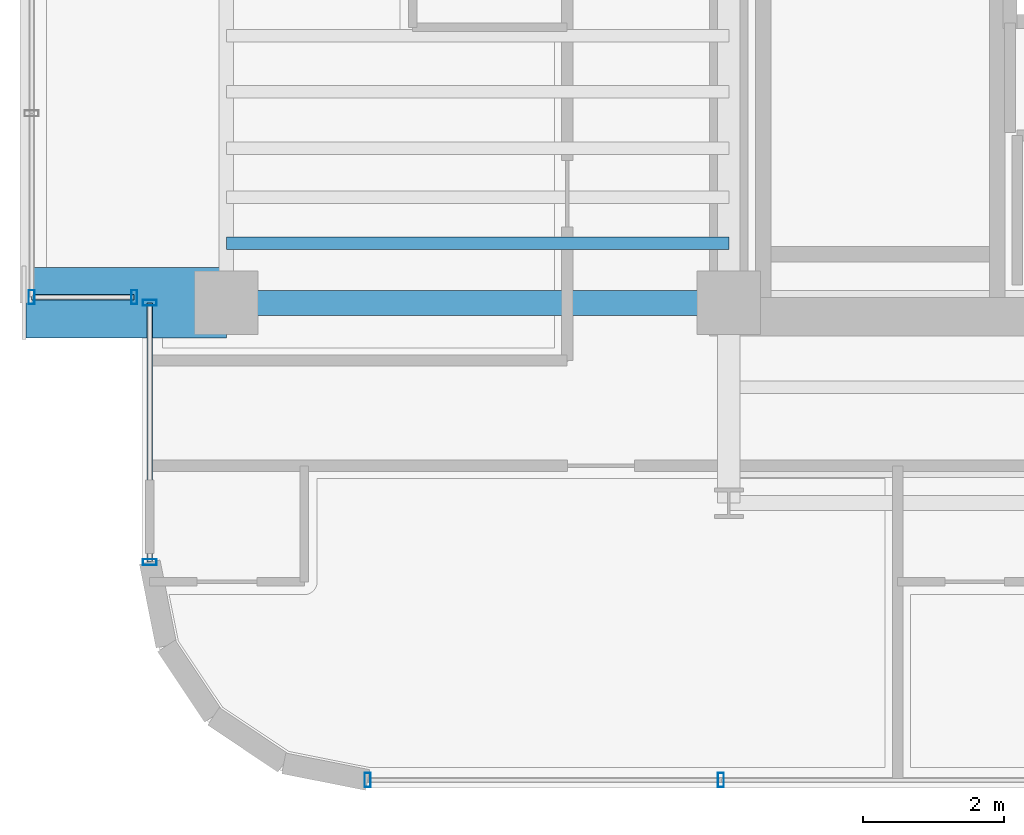
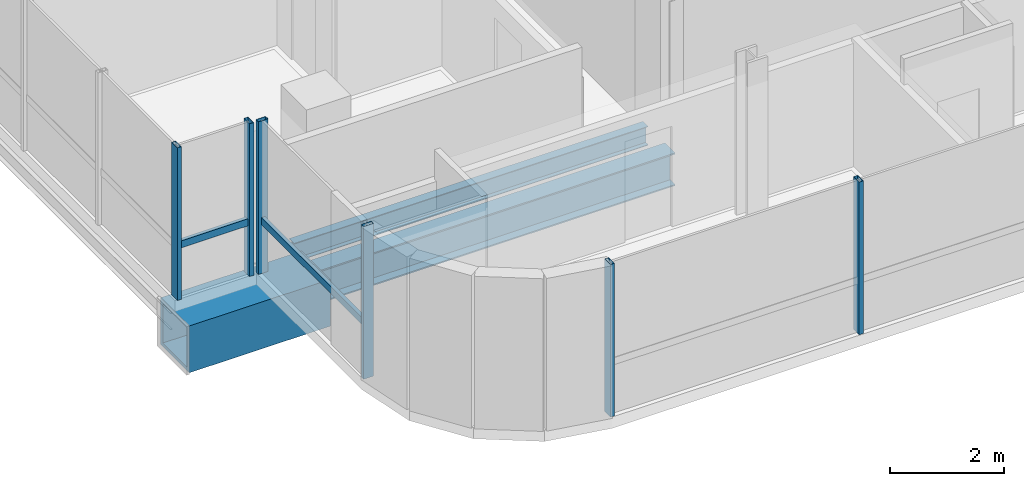
# One storey, part 2 of 24: 8 members, 3 beams, 3 elements without a shape of their own.
"""IFC4 building model written with IfcOpenShell, lengths in metres."""

from ifc_helpers import new_model, si_unit, direction, frame, origin, origin_2d, place, context, subcontext, project, spatial, hollow_rectangle, i_section, extrude, source, transform, mapped, material, material_profile, profile_set, type_object, element, aggregate, save


model = new_model("IFC4")

# Units and contexts
model_context = context("Model", 3, precision=1e-05, world=origin(), true_north=direction((0.0, 1.0)))
body_context = subcontext(model_context, "Body", "Model", "MODEL_VIEW")
ifc_project = project(units=[si_unit("LENGTHUNIT", "METRE"), si_unit("AREAUNIT", "SQUARE_METRE"), si_unit("VOLUMEUNIT", "CUBIC_METRE"), si_unit("PLANEANGLEUNIT", "RADIAN"), si_unit("MASSUNIT", "GRAM", prefix="KILO")], contexts=[model_context])

# Site, building, storey
site_placement = place(None, origin())
site = spatial("IfcSite", under=ifc_project, at=site_placement, CompositionType="ELEMENT")
building_placement = place(site_placement, origin())
building = spatial("IfcBuilding", under=site, at=building_placement, Name="Valdorenza Pilgrim Sanctuary Tower", CompositionType="ELEMENT")
storey_placement = place(building_placement, frame((0.0, 0.0, 230.0)))
storey = spatial("IfcBuildingStorey", under=building, at=storey_placement, Name="L59", CompositionType="ELEMENT", Elevation=230.0)

# Beams
ifc_material_1 = material(Name="Steel ASTM A572 Grade 42", Category="steel")
ifc_material_profile_1 = material_profile(ifc_material_1, hollow_rectangle(XDim=1.0, YDim=1.0, WallThickness=0.080078125, at=origin_2d()), Name="BOX 1000x1000x80")
ifc_profile_set_1 = profile_set([ifc_material_profile_1], Name="Steel ASTM A572 Grade 42")
beam_type_1 = type_object("IfcBeamType", Name="STR-BM-PROW-CANT", PredefinedType="BEAM", material=ifc_profile_set_1)
shared_shape_1 = source(origin(), body_context, "Body", "SweptSolid", [
    extrude(hollow_rectangle(XDim=1.0, YDim=1.0, WallThickness=0.080078125, at=origin_2d()), origin(), (0.0, 0.0, 1.0), 2.849853515625),
])
beam_1_placement = place(storey_placement, frame((-29.800048828125, -10.60009765625, -0.739990234375), z_axis=(-1.0, 0.0, 0.0), x_axis=(0.0, -1.0, 0.0)))
element("IfcBeam", 1, at=beam_1_placement, inside=storey, type_object=beam_type_1, Name="L59 Glass Box Cantilever Beam BOX-WA-L59-CT-S", PredefinedType="BEAM", context=body_context, shape_type="MappedRepresentation", body=[
    mapped(shared_shape_1, transform((0.0, 0.0, 0.0), x_axis=(1.0, 0.0, 0.0), y_axis=(0.0, 1.0, 0.0), z_axis=(0.0, 0.0, 1.0), scale=1.0)),
])
ifc_material_2 = material(Name="Steel ASTM A992 Grade 50", Category="steel")
ifc_material_profile_2 = material_profile(ifc_material_2, i_section(OverallWidth=0.35595703125, OverallDepth=0.700927734375, WebThickness=0.016845703125, FlangeThickness=0.02734375, at=origin_2d()), Name="W27X161")
ifc_profile_set_2 = profile_set([ifc_material_profile_2], Name="Steel ASTM A992 Grade 50")
beam_type_2 = type_object("IfcBeamType", Name="STR-BM-GRD-W27", PredefinedType="BEAM", material=ifc_profile_set_2)
shared_shape_2 = source(origin(), body_context, "Body", "SweptSolid", [
    extrude(i_section(OverallWidth=0.35595703125, OverallDepth=0.700927734375, WebThickness=0.016845703125, FlangeThickness=0.02734375, at=origin_2d()), origin(), (0.0, 0.0, 1.0), 7.150146484375),
])
beam_2_placement = place(storey_placement, frame((-29.800048828125, -10.60009765625, -0.590576171875), z_axis=(1.0, 0.0, 0.0), x_axis=(0.0, 1.0, 0.0)))
element("IfcBeam", 2, at=beam_2_placement, inside=storey, type_object=beam_type_2, Name="L59 Floor Girder WA-XW-S1", PredefinedType="BEAM", context=body_context, shape_type="MappedRepresentation", body=[
    mapped(shared_shape_2, transform((0.0, 0.0, 0.0), x_axis=(1.0, 0.0, 0.0), y_axis=(0.0, 1.0, 0.0), z_axis=(0.0, 0.0, 1.0), scale=1.0)),
])
ifc_material_profile_3 = material_profile(ifc_material_2, i_section(OverallWidth=0.177978515625, OverallDepth=0.406005859375, WebThickness=0.0078125, FlangeThickness=0.0126953125, at=origin_2d()), Name="W16X40")
ifc_profile_set_3 = profile_set([ifc_material_profile_3], Name="Steel ASTM A992 Grade 50")
beam_type_3 = type_object("IfcBeamType", Name="STR-BM-JST-W16", PredefinedType="JOIST", material=ifc_profile_set_3)
shared_shape_3 = source(origin(), body_context, "Body", "SweptSolid", [
    extrude(i_section(OverallWidth=0.177978515625, OverallDepth=0.406005859375, WebThickness=0.0078125, FlangeThickness=0.0126953125, at=origin_2d()), origin(), (0.0, 0.0, 1.0), 7.150146484375),
])
beam_3_placement = place(storey_placement, frame((-29.800048828125, -9.75, -0.443115234375), z_axis=(1.0, 0.0, 0.0), x_axis=(0.0, 1.0, 0.0)))
element("IfcBeam", 3, at=beam_3_placement, inside=storey, type_object=beam_type_3, Name="L59 Composite Floor Joist JST-WA-1", PredefinedType="JOIST", context=body_context, shape_type="MappedRepresentation", body=[
    mapped(shared_shape_3, transform((0.0, 0.0, 0.0), x_axis=(1.0, 0.0, 0.0), y_axis=(0.0, 1.0, 0.0), z_axis=(0.0, 0.0, 1.0), scale=1.0)),
])

# Curtain wall, member
ifc_material_3 = material(Name="Curtain-wall IGU glazing", Category="glass")
curtain_wall_type = type_object("IfcCurtainWallType", Name="CW-SYS-02", PredefinedType="NOTDEFINED", material=ifc_material_3)
curtain_wall_1_placement = place(storey_placement, origin())
curtain_wall_1 = element("IfcCurtainWall", 4, at=curtain_wall_1_placement, inside=storey, type_object=curtain_wall_type, Name="L59 Curtain Wall CW-L59-BOX-WA-L59-S", PredefinedType="NOTDEFINED")
ifc_material_4 = material(Name="Anodised aluminium AW-6060", Category="aluminium")
ifc_material_profile_4 = material_profile(ifc_material_4, hollow_rectangle(XDim=0.074951171875, YDim=0.14990234375, WallThickness=0.00390625, at=origin_2d()), Name="ALU-T 150x75x4")
ifc_profile_set_4 = profile_set([ifc_material_profile_4], Name="Anodised aluminium AW-6060")
member_type_1 = type_object("IfcMemberType", Name="CW-TRN-02", PredefinedType="USERDEFINED", material=ifc_profile_set_4)
shared_shape_4 = source(origin(), body_context, "Body", "SweptSolid", [
    extrude(hollow_rectangle(XDim=0.074951171875, YDim=0.14990234375, WallThickness=0.00390625, at=origin_2d()), origin(), (0.0, 0.0, 1.0), 1.4599609375),
])
member_1_placement = place(storey_placement, frame((-31.110107421875, -10.52001953125, 1.1201171875), z_axis=(-1.0, 0.0, 0.0), x_axis=(0.0, -1.0, 0.0)))
member_1 = element("IfcMember", 5, at=member_1_placement, type_object=member_type_1, Name="CW-L59-BOX-WA-L59-S Transom 1", ObjectType="TRANSOM", PredefinedType="USERDEFINED", context=body_context, shape_type="MappedRepresentation", body=[
    mapped(shared_shape_4, transform((0.0, 0.0, 0.0), x_axis=(1.0, 0.0, 0.0), y_axis=(0.0, 1.0, 0.0), z_axis=(0.0, 0.0, 1.0), scale=1.0)),
])

# Curtain wall, members
curtain_wall_2_placement = place(storey_placement, origin())
curtain_wall_2 = element("IfcCurtainWall", 6, at=curtain_wall_2_placement, inside=storey, type_object=curtain_wall_type, Name="L59 Curtain Wall CW-L59-1-1S1", PredefinedType="NOTDEFINED")
shared_shape_5 = source(origin(), body_context, "Body", "SweptSolid", [
    extrude(hollow_rectangle(XDim=0.074951171875, YDim=0.14990234375, WallThickness=0.00390625, at=origin_2d()), origin(), (0.0, 0.0, 1.0), 3.689208984375),
])
member_2_placement = place(storey_placement, frame((-30.889892578125, -14.289306640625, 1.1201171875), z_axis=(0.0, 1.0, 0.0), x_axis=(-1.0, 0.0, 0.0)))
member_2 = element("IfcMember", 7, at=member_2_placement, type_object=member_type_1, Name="CW-L59-1-1S1 Transom 1", ObjectType="TRANSOM", PredefinedType="USERDEFINED", context=body_context, shape_type="MappedRepresentation", body=[
    mapped(shared_shape_5, transform((0.0, 0.0, 0.0), x_axis=(1.0, 0.0, 0.0), y_axis=(0.0, 1.0, 0.0), z_axis=(0.0, 0.0, 1.0), scale=1.0)),
])
ifc_material_profile_5 = material_profile(ifc_material_4, hollow_rectangle(XDim=0.0849609375, YDim=0.199951171875, WallThickness=0.0048828125, at=origin_2d()), Name="ALU-M 200x85x5")
ifc_profile_set_5 = profile_set([ifc_material_profile_5], Name="Anodised aluminium AW-6060")
member_type_2 = type_object("IfcMemberType", Name="CW-MUL-02", PredefinedType="MULLION", material=ifc_profile_set_5)
shared_shape_6 = source(origin(), body_context, "Body", "SweptSolid", [
    extrude(hollow_rectangle(XDim=0.0849609375, YDim=0.199951171875, WallThickness=0.0048828125, at=origin_2d()), origin(), (0.0, 0.0, 1.0), 3.260009765625),
])
member_3_placement = place(storey_placement, frame((-30.889892578125, -14.289306640625, 0.0), z_axis=(0.0, 0.0, 1.0), x_axis=(0.0, 1.0, 0.0)))
member_3 = element("IfcMember", 8, at=member_3_placement, type_object=member_type_2, Name="CW-L59-1-1S1 Mullion 1", PredefinedType="MULLION", context=body_context, shape_type="MappedRepresentation", body=[
    mapped(shared_shape_6, transform((0.0, 0.0, 0.0), x_axis=(1.0, 0.0, 0.0), y_axis=(0.0, 1.0, 0.0), z_axis=(0.0, 0.0, 1.0), scale=1.0)),
])
member_4_placement = place(storey_placement, frame((-30.889892578125, -10.60009765625, 0.0), z_axis=(0.0, 0.0, 1.0), x_axis=(0.0, 1.0, 0.0)))
member_4 = element("IfcMember", 9, at=member_4_placement, type_object=member_type_2, Name="CW-L59-1-1S1 Mullion 2", PredefinedType="MULLION", context=body_context, shape_type="MappedRepresentation", body=[
    mapped(shared_shape_6, transform((0.0, 0.0, 0.0), x_axis=(1.0, 0.0, 0.0), y_axis=(0.0, 1.0, 0.0), z_axis=(0.0, 0.0, 1.0), scale=1.0)),
])
aggregate(curtain_wall_2, [member_3, member_4, member_2])

curtain_wall_3_placement = place(storey_placement, origin())
curtain_wall_3 = element("IfcCurtainWall", 10, at=curtain_wall_3_placement, inside=storey, type_object=curtain_wall_type, Name="L59 Curtain Wall CW-L59-1-26", PredefinedType="NOTDEFINED")
member_5_placement = place(storey_placement, frame((-22.76318359375, -17.389892578125, 0.0), z_axis=(0.0, 0.0, 1.0), x_axis=(-1.0, 0.0, 0.0)))
member_5 = element("IfcMember", 11, at=member_5_placement, type_object=member_type_2, Name="CW-L59-1-26 Mullion 3", PredefinedType="MULLION", context=body_context, shape_type="MappedRepresentation", body=[
    mapped(shared_shape_6, transform((0.0, 0.0, 0.0), x_axis=(1.0, 0.0, 0.0), y_axis=(0.0, 1.0, 0.0), z_axis=(0.0, 0.0, 1.0), scale=1.0)),
])
member_6_placement = place(storey_placement, frame((-27.789306640625, -17.389892578125, 0.0), z_axis=(0.0, 0.0, 1.0), x_axis=(-1.0, 0.0, 0.0)))
member_6 = element("IfcMember", 12, at=member_6_placement, type_object=member_type_2, Name="CW-L59-1-26 Mullion 4", PredefinedType="MULLION", context=body_context, shape_type="MappedRepresentation", body=[
    mapped(shared_shape_6, transform((0.0, 0.0, 0.0), x_axis=(1.0, 0.0, 0.0), y_axis=(0.0, 1.0, 0.0), z_axis=(0.0, 0.0, 1.0), scale=1.0)),
])
aggregate(curtain_wall_3, [member_5, member_6])

# Member
member_7_placement = place(storey_placement, frame((-31.110107421875, -10.52001953125, 0.0), z_axis=(0.0, 0.0, 1.0), x_axis=(-1.0, 0.0, 0.0)))
member_7 = element("IfcMember", 13, at=member_7_placement, type_object=member_type_2, Name="CW-L59-BOX-WA-L59-S Mullion 1", PredefinedType="MULLION", context=body_context, shape_type="MappedRepresentation", body=[
    mapped(shared_shape_6, transform((0.0, 0.0, 0.0), x_axis=(1.0, 0.0, 0.0), y_axis=(0.0, 1.0, 0.0), z_axis=(0.0, 0.0, 1.0), scale=1.0)),
])

member_8_placement = place(storey_placement, frame((-32.570068359375, -10.52001953125, 0.0), z_axis=(0.0, 0.0, 1.0), x_axis=(-1.0, 0.0, 0.0)))
member_8 = element("IfcMember", 14, at=member_8_placement, type_object=member_type_2, Name="CW-L59-BOX-WA-L59-S Mullion 2", PredefinedType="MULLION", context=body_context, shape_type="MappedRepresentation", body=[
    mapped(shared_shape_6, transform((0.0, 0.0, 0.0), x_axis=(1.0, 0.0, 0.0), y_axis=(0.0, 1.0, 0.0), z_axis=(0.0, 0.0, 1.0), scale=1.0)),
])

aggregate(curtain_wall_1, [member_7, member_8, member_1])

save(model, "model.ifc")
